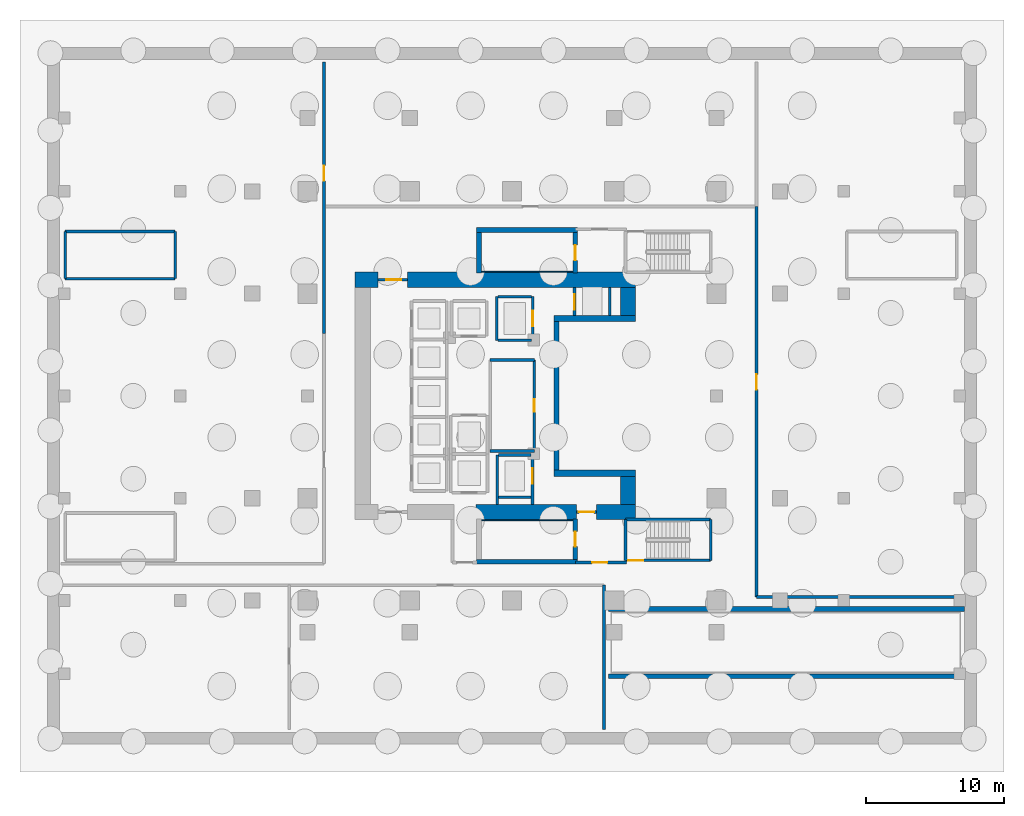
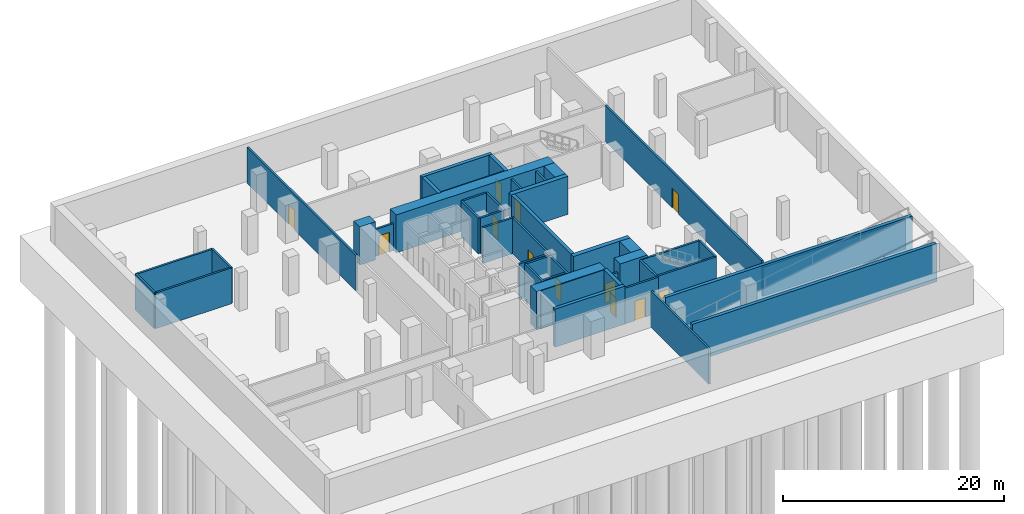
# One storey, part 3 of 6: 46 walls, 12 doors, 12 openings.
"""IFC4 building model written with IfcOpenShell, lengths in metres."""

from ifc_helpers import new_model, si_unit, direction, frame, frame_2d, origin, place, context, subcontext, project, spatial, rectangle, extrude, material, layer, layer_set, type_object, element, fill, save


model = new_model("IFC4")

# Units and contexts
model_context = context("Model", 3, precision=1e-05, world=origin(), true_north=direction((0.0, 1.0)))
body_context = subcontext(model_context, "Body", "Model", "MODEL_VIEW")
ifc_project = project(units=[si_unit("LENGTHUNIT", "METRE"), si_unit("AREAUNIT", "SQUARE_METRE"), si_unit("VOLUMEUNIT", "CUBIC_METRE"), si_unit("PLANEANGLEUNIT", "RADIAN"), si_unit("MASSUNIT", "GRAM", prefix="KILO")], contexts=[model_context])

# Site, building, storey
site_placement = place(None, origin())
site = spatial("IfcSite", under=ifc_project, at=site_placement, CompositionType="ELEMENT")
building_placement = place(site_placement, origin())
building = spatial("IfcBuilding", under=site, at=building_placement, Name="Khorvyn Point Tower", CompositionType="ELEMENT")
storey_placement = place(building_placement, frame((0.0, 0.0, -12.60009765625)))
storey = spatial("IfcBuildingStorey", under=building, at=storey_placement, Name="B3", CompositionType="ELEMENT", Elevation=-12.60009765625)

# Wall, opening, door
ifc_material_1 = material(Name="Concrete C35/45 masonry blockwork", Category="masonry")
ifc_layer_1 = layer(ifc_material_1, 0.199951171875)
ifc_layer_set_1 = layer_set([ifc_layer_1], Name="Concrete C35/45 Blockwork Plant Compartment Wall 200")
wall_type_1 = type_object("IfcWallType", Name="Concrete C35/45 Blockwork Plant Compartment Wall 200", PredefinedType="SOLIDWALL", material=ifc_layer_set_1)
wall_1_placement = place(storey_placement, frame((-13.60009765625, 4.5, 0.0), z_axis=(0.0, 0.0, 1.0), x_axis=(0.0, 1.0, 0.0)))
wall_1 = element("IfcWall", 1, at=wall_1_placement, inside=storey, type_object=wall_type_1, Name="Wall", PredefinedType="SOLIDWALL", context=body_context, shape_type="SweptSolid", body=[
    extrude(rectangle(XDim=19.64990234375, YDim=0.199951171875, at=frame_2d((9.824951171875, 0.0))), origin(), (0.0, 0.0, 1.0), 3.940185546875),
])
opening_1_placement = place(wall_1_placement, frame((11.062255859375, 0.0, 0.0)))
opening_1 = element("IfcOpeningElement", 2, at=opening_1_placement, cuts=wall_1, Name="Opening ID-FL90", PredefinedType="OPENING", context=body_context, shape_type="SweptSolid", body=[
    extrude(rectangle(XDim=1.10009765625, YDim=2.14990234375, at=frame_2d((0.550048828125, 1.074951171875))), frame((0.0, 0.10986328125, 0.0), z_axis=(0.0, -1.0, 0.0), x_axis=(1.0, 0.0, 0.0)), (0.0, 0.0, 1.0), 0.219970703125),
])
ifc_material_2 = material(Name="Galvanised powder-coated steel", Category="steel")
door_type_1 = type_object("IfcDoorType", Name="Fire-Rated Steel Lobby and Stair Door 1100x2150", OperationType="NOTDEFINED", PredefinedType="DOOR", material=ifc_material_2)
door_1_placement = place(opening_1_placement, origin())
door_1 = element("IfcDoor", 3, at=door_1_placement, inside=storey, type_object=door_type_1, Name="Door", OperationType="SINGLE_SWING_LEFT", OverallHeight=2.14990234375, OverallWidth=1.10009765625, PredefinedType="DOOR", context=body_context, shape_type="SweptSolid", body=[
    extrude(rectangle(XDim=1.10009765625, YDim=2.14990234375, at=frame_2d((0.550048828125, 1.074951171875))), frame((0.0, 0.02490234375, 0.0), z_axis=(0.0, -1.0, 0.0), x_axis=(1.0, 0.0, 0.0)), (0.0, 0.0, 1.0), 0.050048828125),
])
fill(opening_1, door_1)

wall_2_placement = place(storey_placement, frame((17.699951171875, -14.550048828125, 0.0), z_axis=(0.0, 0.0, 1.0), x_axis=(0.0, 1.0, 0.0)))
wall_2 = element("IfcWall", 4, at=wall_2_placement, inside=storey, type_object=wall_type_1, Name="Wall", PredefinedType="SOLIDWALL", context=body_context, shape_type="SweptSolid", body=[
    extrude(rectangle(XDim=28.25, YDim=0.199951171875, at=frame_2d((14.125, 0.0))), origin(), (0.0, 0.0, 1.0), 3.940185546875),
])
opening_2_placement = place(wall_2_placement, frame((15.005859375, 0.0, 0.0)))
opening_2 = element("IfcOpeningElement", 5, at=opening_2_placement, cuts=wall_2, Name="Opening ID-FL90", PredefinedType="OPENING", context=body_context, shape_type="SweptSolid", body=[
    extrude(rectangle(XDim=1.10009765625, YDim=2.14990234375, at=frame_2d((0.550048828125, 1.074951171875))), frame((0.0, 0.10986328125, 0.0), z_axis=(0.0, -1.0, 0.0), x_axis=(1.0, 0.0, 0.0)), (0.0, 0.0, 1.0), 0.219970703125),
])
door_2_placement = place(opening_2_placement, origin())
door_2 = element("IfcDoor", 6, at=door_2_placement, inside=storey, type_object=door_type_1, Name="Door", OperationType="SINGLE_SWING_LEFT", OverallHeight=2.14990234375, OverallWidth=1.10009765625, PredefinedType="DOOR", context=body_context, shape_type="SweptSolid", body=[
    extrude(rectangle(XDim=1.10009765625, YDim=2.14990234375, at=frame_2d((0.550048828125, 1.074951171875))), frame((0.0, 0.02490234375, 0.0), z_axis=(0.0, -1.0, 0.0), x_axis=(1.0, 0.0, 0.0)), (0.0, 0.0, 1.0), 0.050048828125),
])
fill(opening_2, door_2)

# Walls
wall_3_placement = place(storey_placement, frame((17.699951171875, -14.550048828125, 0.0), z_axis=(0.0, 0.0, 1.0), x_axis=(1.0, 0.0, 0.0)))
element("IfcWall", 7, at=wall_3_placement, inside=storey, type_object=wall_type_1, Name="Wall", PredefinedType="SOLIDWALL", context=body_context, shape_type="SweptSolid", body=[
    extrude(rectangle(XDim=14.949951171875, YDim=0.199951171875, at=frame_2d((7.47509765625, 0.0))), origin(), (0.0, 0.0, 1.0), 3.22998046875),
])
wall_4_placement = place(storey_placement, frame((6.64990234375, -24.14990234375, 0.0), z_axis=(0.0, 0.0, 1.0), x_axis=(0.0, 1.0, 0.0)))
element("IfcWall", 8, at=wall_4_placement, inside=storey, type_object=wall_type_1, Name="Wall", PredefinedType="SOLIDWALL", context=body_context, shape_type="SweptSolid", body=[
    extrude(rectangle(XDim=10.449951171875, YDim=0.199951171875, at=frame_2d((5.22509765625, 0.0))), origin(), (0.0, 0.0, 1.0), 3.940185546875),
])
ifc_material_3 = material(Name="Concrete C40/50", Category="concrete")
ifc_layer_2 = layer(ifc_material_3, 0.449951171875)
ifc_layer_set_2 = layer_set([ifc_layer_2], Name="Concrete C40/50 Core Shear Wall 450")
wall_type_2 = type_object("IfcWallType", Name="Concrete C40/50 Core Shear Wall 450", PredefinedType="SHEAR", material=ifc_layer_set_2)
for number, where, z_axis, x_axis, name in (
    (9, (3.044921875, -5.60009765625, 0.0), (0.0, 0.0, 1.0), (1.0, 0.0, 0.0), "Wall"),
    (10, (3.044921875, 5.60009765625, 0.0), (0.0, 0.0, 1.0), (1.0, 0.0, 0.0), "Wall"),
):
    element("IfcWall", number, at=place(storey_placement, frame(where, z_axis=z_axis, x_axis=x_axis)), inside=storey, type_object=wall_type_2, Name=name, PredefinedType="SHEAR", context=body_context, shape_type="SweptSolid", body=[
        extrude(rectangle(XDim=5.905029296875, YDim=0.449951171875, at=frame_2d((2.95263671875, 0.0))), origin(), (0.0, 0.0, 1.0), 4.2001953125),
    ])

# Wall, opening, door
ifc_layer_3 = layer(ifc_material_3, 0.199951171875)
ifc_layer_set_3 = layer_set([ifc_layer_3], Name="Concrete C40/50 Fire-Lobby Compartment Wall 200")
wall_type_3 = type_object("IfcWallType", Name="Concrete C40/50 Fire-Lobby Compartment Wall 200", PredefinedType="SOLIDWALL", material=ifc_layer_set_3)
wall_5_placement = place(storey_placement, frame((4.580078125, -12.06005859375, 0.0), z_axis=(0.0, 0.0, 1.0), x_axis=(1.0, 0.0, 0.0)))
wall_5 = element("IfcWall", 11, at=wall_5_placement, inside=storey, type_object=wall_type_3, Name="Wall", PredefinedType="SOLIDWALL", context=body_context, shape_type="SweptSolid", body=[
    extrude(rectangle(XDim=3.699951171875, YDim=0.199951171875, at=frame_2d((1.85009765625, 0.0))), origin(), (0.0, 0.0, 1.0), 3.940185546875),
])
opening_3_placement = place(wall_5_placement, frame((1.21240234375, 0.0, 0.0)))
opening_3 = element("IfcOpeningElement", 12, at=opening_3_placement, cuts=wall_5, Name="Opening ID-FL90", PredefinedType="OPENING", context=body_context, shape_type="SweptSolid", body=[
    extrude(rectangle(XDim=1.10009765625, YDim=2.14990234375, at=frame_2d((0.550048828125, 1.074951171875))), frame((0.0, 0.10986328125, 0.0), z_axis=(0.0, -1.0, 0.0), x_axis=(1.0, 0.0, 0.0)), (0.0, 0.0, 1.0), 0.219970703125),
])
door_3_placement = place(opening_3_placement, origin())
door_3 = element("IfcDoor", 13, at=door_3_placement, inside=storey, type_object=door_type_1, Name="Door", OperationType="SINGLE_SWING_LEFT", OverallHeight=2.14990234375, OverallWidth=1.10009765625, PredefinedType="DOOR", context=body_context, shape_type="SweptSolid", body=[
    extrude(rectangle(XDim=1.10009765625, YDim=2.14990234375, at=frame_2d((0.550048828125, 1.074951171875))), frame((0.0, 0.02490234375, 0.0), z_axis=(0.0, -1.0, 0.0), x_axis=(1.0, 0.0, 0.0)), (0.0, 0.0, 1.0), 0.050048828125),
])
fill(opening_3, door_3)

wall_6_placement = place(storey_placement, frame((4.64990234375, -8.39990234375, 0.0), z_axis=(0.0, 0.0, 1.0), x_axis=(1.0, 0.0, 0.0)))
wall_6 = element("IfcWall", 14, at=wall_6_placement, inside=storey, type_object=wall_type_3, Name="Wall", PredefinedType="SOLIDWALL", context=body_context, shape_type="SweptSolid", body=[
    extrude(rectangle(XDim=1.47021484375, YDim=0.199951171875, at=frame_2d((0.735107421875, 0.0))), origin(), (0.0, 0.0, 1.0), 2.97998046875),
])
opening_4_placement = place(wall_6_placement, frame((0.18505859375, 0.0, 0.0)))
opening_4 = element("IfcOpeningElement", 15, at=opening_4_placement, cuts=wall_6, Name="Opening ID-FL90", PredefinedType="OPENING", context=body_context, shape_type="SweptSolid", body=[
    extrude(rectangle(XDim=1.10009765625, YDim=2.14990234375, at=frame_2d((0.550048828125, 1.074951171875))), frame((0.0, 0.10986328125, 0.0), z_axis=(0.0, -1.0, 0.0), x_axis=(1.0, 0.0, 0.0)), (0.0, 0.0, 1.0), 0.219970703125),
])
door_4_placement = place(opening_4_placement, origin())
door_4 = element("IfcDoor", 16, at=door_4_placement, inside=storey, type_object=door_type_1, Name="Door", OperationType="SINGLE_SWING_RIGHT", OverallHeight=2.14990234375, OverallWidth=1.10009765625, PredefinedType="DOOR", context=body_context, shape_type="SweptSolid", body=[
    extrude(rectangle(XDim=1.10009765625, YDim=2.14990234375, at=frame_2d((0.550048828125, 1.074951171875))), frame((0.0, 0.02490234375, 0.0), z_axis=(0.0, -1.0, 0.0), x_axis=(1.0, 0.0, 0.0)), (0.0, 0.0, 1.0), 0.050048828125),
])
fill(opening_4, door_4)

wall_7_placement = place(storey_placement, frame((-9.699951171875, 8.39990234375, 0.0), z_axis=(0.0, 0.0, 1.0), x_axis=(1.0, 0.0, 0.0)))
wall_7 = element("IfcWall", 17, at=wall_7_placement, inside=storey, type_object=wall_type_3, Name="Wall", PredefinedType="SOLIDWALL", context=body_context, shape_type="SweptSolid", body=[
    extrude(rectangle(XDim=2.14990234375, YDim=0.199951171875, at=frame_2d((1.074951171875, 0.0))), origin(), (0.0, 0.0, 1.0), 2.97998046875),
])
opening_5_placement = place(wall_7_placement, frame((0.597900390625, 0.0, 0.0)))
opening_5 = element("IfcOpeningElement", 18, at=opening_5_placement, cuts=wall_7, Name="Opening ID-FL90", PredefinedType="OPENING", context=body_context, shape_type="SweptSolid", body=[
    extrude(rectangle(XDim=1.10009765625, YDim=2.14990234375, at=frame_2d((0.550048828125, 1.074951171875))), frame((0.0, 0.10986328125, 0.0), z_axis=(0.0, -1.0, 0.0), x_axis=(1.0, 0.0, 0.0)), (0.0, 0.0, 1.0), 0.219970703125),
])
door_5_placement = place(opening_5_placement, origin())
door_5 = element("IfcDoor", 19, at=door_5_placement, inside=storey, type_object=door_type_1, Name="Door", OperationType="SINGLE_SWING_LEFT", OverallHeight=2.14990234375, OverallWidth=1.10009765625, PredefinedType="DOOR", context=body_context, shape_type="SweptSolid", body=[
    extrude(rectangle(XDim=1.10009765625, YDim=2.14990234375, at=frame_2d((0.550048828125, 1.074951171875))), frame((0.0, 0.02490234375, 0.0), z_axis=(0.0, -1.0, 0.0), x_axis=(1.0, 0.0, 0.0)), (0.0, 0.0, 1.0), 0.050048828125),
])
fill(opening_5, door_5)

wall_8_placement = place(storey_placement, frame((1.610107421875, -3.97998046875, 0.0), z_axis=(0.0, 0.0, 1.0), x_axis=(0.0, 1.0, 0.0)))
wall_8 = element("IfcWall", 20, at=wall_8_placement, inside=storey, type_object=wall_type_3, Name="Wall", PredefinedType="SOLIDWALL", context=body_context, shape_type="SweptSolid", body=[
    extrude(rectangle(XDim=6.580078125, YDim=0.199951171875, at=frame_2d((3.2900390625, 0.0))), origin(), (0.0, 0.0, 1.0), 3.940185546875),
])
opening_6_placement = place(wall_8_placement, frame((2.830078125, 0.0, 0.0)))
opening_6 = element("IfcOpeningElement", 21, at=opening_6_placement, cuts=wall_8, Name="Opening ID-RS60", PredefinedType="OPENING", context=body_context, shape_type="SweptSolid", body=[
    extrude(rectangle(XDim=0.919921875, YDim=2.10009765625, at=frame_2d((0.4599609375, 1.050048828125))), frame((0.0, 0.10986328125, 0.0), z_axis=(0.0, -1.0, 0.0), x_axis=(1.0, 0.0, 0.0)), (0.0, 0.0, 1.0), 0.219970703125),
])
door_type_2 = type_object("IfcDoorType", Name="Fire-Rated Riser and Store Steel Door 920x2100", OperationType="NOTDEFINED", PredefinedType="DOOR", material=ifc_material_2)
door_6_placement = place(opening_6_placement, origin())
door_6 = element("IfcDoor", 22, at=door_6_placement, inside=storey, type_object=door_type_2, Name="Door", OperationType="SINGLE_SWING_LEFT", OverallHeight=2.10009765625, OverallWidth=0.919921875, PredefinedType="DOOR", context=body_context, shape_type="SweptSolid", body=[
    extrude(rectangle(XDim=0.919921875, YDim=2.10009765625, at=frame_2d((0.4599609375, 1.050048828125))), frame((0.0, 0.02490234375, 0.0), z_axis=(0.0, -1.0, 0.0), x_axis=(1.0, 0.0, 0.0)), (0.0, 0.0, 1.0), 0.050048828125),
])
fill(opening_6, door_6)

# Walls
for number, where, z_axis, x_axis, name in (
    (23, (-1.580078125, -3.97998046875, 0.0), (0.0, 0.0, 1.0), (1.0, 0.0, 0.0), "Wall"),
    (24, (-1.580078125, 2.60009765625, 0.0), (0.0, 0.0, 1.0), (1.0, 0.0, 0.0), "Wall"),
):
    element("IfcWall", number, at=place(storey_placement, frame(where, z_axis=z_axis, x_axis=x_axis)), inside=storey, type_object=wall_type_3, Name=name, PredefinedType="SOLIDWALL", context=body_context, shape_type="SweptSolid", body=[
        extrude(rectangle(XDim=3.190185546875, YDim=0.199951171875, at=frame_2d((1.59521484375, 0.0))), origin(), (0.0, 0.0, 1.0), 3.940185546875),
    ])
ifc_layer_4 = layer(ifc_material_3, 0.25)
ifc_layer_set_4 = layer_set([ifc_layer_4], Name="Concrete C40/50 Stair Inner Cheek Structural Wall 250")
wall_type_4 = type_object("IfcWallType", Name="Concrete C40/50 Stair Inner Cheek Structural Wall 250", PredefinedType="SHEAR", material=ifc_layer_set_4)
for number, where, z_axis, x_axis, name in (
    (25, (-2.199951171875, -8.987548828125, 0.0), (0.0, 0.0, 1.0), (1.0, 0.0, 0.0), "Wall"),
    (26, (-2.199951171875, 8.987548828125, 0.0), (0.0, 0.0, 1.0), (1.0, 0.0, 0.0), "Wall"),
):
    element("IfcWall", number, at=place(storey_placement, frame(where, z_axis=z_axis, x_axis=x_axis)), inside=storey, type_object=wall_type_4, Name=name, PredefinedType="SHEAR", context=body_context, shape_type="SweptSolid", body=[
        extrude(rectangle(XDim=6.599853515625, YDim=0.074951171875, at=frame_2d((3.2998046875, 0.0))), origin(), (0.0, 0.0, 1.0), 4.2001953125),
    ])
ifc_layer_5 = layer(ifc_material_3, 0.35009765625)
ifc_layer_set_5 = layer_set([ifc_layer_5], Name="Concrete C40/50 Stair Shaft Structural Wall 350")
wall_type_5 = type_object("IfcWallType", Name="Concrete C40/50 Stair Shaft Structural Wall 350", PredefinedType="SHEAR", material=ifc_layer_set_5)
wall_9_placement = place(storey_placement, frame((7.0, -20.280029296875, 0.0), z_axis=(0.0, 0.0, 1.0), x_axis=(1.0, 0.0, 0.0)))
element("IfcWall", 27, at=wall_9_placement, inside=storey, type_object=wall_type_5, Name="B3 Vehicle Ramp South Structural Cheek Wall", PredefinedType="SHEAR", context=body_context, shape_type="SweptSolid", body=[
    extrude(rectangle(XDim=25.5, YDim=0.35009765625, at=frame_2d((12.75, 0.0))), origin(), (0.0, 0.0, 1.0), 4.2001953125),
])
wall_10_placement = place(storey_placement, frame((7.0, -15.419921875, 0.0), z_axis=(0.0, 0.0, 1.0), x_axis=(1.0, 0.0, 0.0)))
element("IfcWall", 28, at=wall_10_placement, inside=storey, type_object=wall_type_5, Name="B3 Vehicle Ramp North Structural Cheek Wall", PredefinedType="SHEAR", context=body_context, shape_type="SweptSolid", body=[
    extrude(rectangle(XDim=25.75, YDim=0.35009765625, at=frame_2d((12.875, 0.0))), origin(), (0.0, 0.0, 1.0), 4.2001953125),
])
wall_11_placement = place(storey_placement, frame((3.219970703125, -5.375, 0.0), z_axis=(0.0, 0.0, 1.0), x_axis=(0.0, 1.0, 0.0)))
element("IfcWall", 29, at=wall_11_placement, inside=storey, type_object=wall_type_5, Name="Wall", PredefinedType="SHEAR", context=body_context, shape_type="SweptSolid", body=[
    extrude(rectangle(XDim=10.75, YDim=0.35009765625, at=frame_2d((5.375, 0.0))), origin(), (0.0, 0.0, 1.0), 4.2001953125),
])
wall_12_placement = place(storey_placement, frame((-2.554931640625, -12.0, 0.0), z_axis=(0.0, 0.0, 1.0), x_axis=(1.0, 0.0, 0.0)))
element("IfcWall", 30, at=wall_12_placement, inside=storey, type_object=wall_type_5, Name="B3 ST-01 South Shaft Wall", PredefinedType="SHEAR", context=body_context, shape_type="SweptSolid", body=[
    extrude(rectangle(XDim=7.309814453125, YDim=0.35009765625, at=frame_2d((3.65478515625, 0.0))), origin(), (0.0, 0.0, 1.0), 4.2001953125),
])

# Wall, opening, door
wall_13_placement = place(storey_placement, frame((4.580078125, -8.89990234375, 0.0), z_axis=(0.0, 0.0, 1.0), x_axis=(0.0, -1.0, 0.0)))
wall_13 = element("IfcWall", 31, at=wall_13_placement, inside=storey, type_object=wall_type_5, Name="B3 ST-01 East Landing Door Wall", PredefinedType="SHEAR", context=body_context, shape_type="SweptSolid", body=[
    extrude(rectangle(XDim=2.925048828125, YDim=0.35009765625, at=frame_2d((1.46240234375, 0.0))), origin(), (0.0, 0.0, 1.0), 4.2001953125),
])
opening_7_placement = place(wall_13_placement, frame((0.91259765625, 0.0, 0.0)))
opening_7 = element("IfcOpeningElement", 32, at=opening_7_placement, cuts=wall_13, Name="Opening ID-FL90", PredefinedType="OPENING", context=body_context, shape_type="SweptSolid", body=[
    extrude(rectangle(XDim=1.10009765625, YDim=2.14990234375, at=frame_2d((0.550048828125, 1.074951171875))), frame((0.0, 0.18505859375, 0.0), z_axis=(0.0, -1.0, 0.0), x_axis=(1.0, 0.0, 0.0)), (0.0, 0.0, 1.0), 0.3701171875),
])
door_7_placement = place(opening_7_placement, origin())
door_7 = element("IfcDoor", 33, at=door_7_placement, inside=storey, type_object=door_type_1, Name="B3 ST-01 Smokeproof Landing Door", OperationType="SINGLE_SWING_RIGHT", OverallHeight=2.14990234375, OverallWidth=1.10009765625, PredefinedType="DOOR", context=body_context, shape_type="SweptSolid", body=[
    extrude(rectangle(XDim=1.10009765625, YDim=2.14990234375, at=frame_2d((0.550048828125, 1.074951171875))), frame((0.0, 0.02490234375, 0.0), z_axis=(0.0, -1.0, 0.0), x_axis=(1.0, 0.0, 0.0)), (0.0, 0.0, 1.0), 0.050048828125),
])
fill(opening_7, door_7)

# Walls
wall_14_placement = place(storey_placement, frame((-2.554931640625, 12.0, 0.0), z_axis=(0.0, 0.0, 1.0), x_axis=(1.0, 0.0, 0.0)))
element("IfcWall", 34, at=wall_14_placement, inside=storey, type_object=wall_type_5, Name="B3 ST-02 North Shaft Wall", PredefinedType="SHEAR", context=body_context, shape_type="SweptSolid", body=[
    extrude(rectangle(XDim=7.309814453125, YDim=0.35009765625, at=frame_2d((3.65478515625, 0.0))), origin(), (0.0, 0.0, 1.0), 4.2001953125),
])
wall_15_placement = place(storey_placement, frame((-2.3798828125, 8.89990234375, 0.0), z_axis=(0.0, 0.0, 1.0), x_axis=(0.0, 1.0, 0.0)))
element("IfcWall", 35, at=wall_15_placement, inside=storey, type_object=wall_type_5, Name="B3 ST-02 West Shaft Wall", PredefinedType="SHEAR", context=body_context, shape_type="SweptSolid", body=[
    extrude(rectangle(XDim=2.925048828125, YDim=0.35009765625, at=frame_2d((1.46240234375, 0.0))), origin(), (0.0, 0.0, 1.0), 4.2001953125),
])

# Wall, opening, door
wall_16_placement = place(storey_placement, frame((4.580078125, 11.824951171875, 0.0), z_axis=(0.0, 0.0, 1.0), x_axis=(0.0, -1.0, 0.0)))
wall_16 = element("IfcWall", 36, at=wall_16_placement, inside=storey, type_object=wall_type_5, Name="B3 ST-02 East Landing Door Wall", PredefinedType="SHEAR", context=body_context, shape_type="SweptSolid", body=[
    extrude(rectangle(XDim=2.925048828125, YDim=0.35009765625, at=frame_2d((1.46240234375, 0.0))), origin(), (0.0, 0.0, 1.0), 4.2001953125),
])
opening_8_placement = place(wall_16_placement, frame((0.91259765625, 0.0, 0.0)))
opening_8 = element("IfcOpeningElement", 37, at=opening_8_placement, cuts=wall_16, Name="Opening ID-FL90", PredefinedType="OPENING", context=body_context, shape_type="SweptSolid", body=[
    extrude(rectangle(XDim=1.10009765625, YDim=2.14990234375, at=frame_2d((0.550048828125, 1.074951171875))), frame((0.0, 0.18505859375, 0.0), z_axis=(0.0, -1.0, 0.0), x_axis=(1.0, 0.0, 0.0)), (0.0, 0.0, 1.0), 0.3701171875),
])
door_8_placement = place(opening_8_placement, origin())
door_8 = element("IfcDoor", 38, at=door_8_placement, inside=storey, type_object=door_type_1, Name="B3 ST-02 Smokeproof Landing Door", OperationType="SINGLE_SWING_LEFT", OverallHeight=2.14990234375, OverallWidth=1.10009765625, PredefinedType="DOOR", context=body_context, shape_type="SweptSolid", body=[
    extrude(rectangle(XDim=1.10009765625, YDim=2.14990234375, at=frame_2d((0.550048828125, 1.074951171875))), frame((0.0, 0.02490234375, 0.0), z_axis=(0.0, -1.0, 0.0), x_axis=(1.0, 0.0, 0.0)), (0.0, 0.0, 1.0), 0.050048828125),
])
fill(opening_8, door_8)

# Wall
ifc_layer_6 = layer(ifc_material_3, 0.199951171875)
ifc_layer_set_6 = layer_set([ifc_layer_6], Name="Concrete C40/50 Structural Hoistway and Stair Shaft Wall 200")
wall_type_6 = type_object("IfcWallType", Name="Concrete C40/50 Structural Hoistway and Stair Shaft Wall 200", PredefinedType="SHEAR", material=ifc_layer_set_6)
wall_17_placement = place(storey_placement, frame((-1.10009765625, 4.02490234375, 0.0), z_axis=(0.0, 0.0, 1.0), x_axis=(0.0, 1.0, 0.0)))
element("IfcWall", 39, at=wall_17_placement, inside=storey, type_object=wall_type_6, Name="Wall", PredefinedType="SHEAR", context=body_context, shape_type="SweptSolid", body=[
    extrude(rectangle(XDim=3.150146484375, YDim=0.199951171875, at=frame_2d((1.5751953125, 0.0))), origin(), (0.0, 0.0, 1.0), 3.940185546875),
])

# Wall, opening, door
wall_18_placement = place(storey_placement, frame((1.5, 4.02490234375, 0.0), z_axis=(0.0, 0.0, 1.0), x_axis=(0.0, 1.0, 0.0)))
wall_18 = element("IfcWall", 40, at=wall_18_placement, inside=storey, type_object=wall_type_6, Name="Wall", PredefinedType="SHEAR", context=body_context, shape_type="SweptSolid", body=[
    extrude(rectangle(XDim=3.150146484375, YDim=0.199951171875, at=frame_2d((1.5751953125, 0.0))), origin(), (0.0, 0.0, 1.0), 3.940185546875),
])
opening_9_placement = place(wall_18_placement, frame((1.02490234375, 0.0, 0.0)))
opening_9 = element("IfcOpeningElement", 41, at=opening_9_placement, cuts=wall_18, Name="Opening LD-1122", PredefinedType="OPENING", context=body_context, shape_type="SweptSolid", body=[
    extrude(rectangle(XDim=1.10009765625, YDim=2.199951171875, at=frame_2d((0.550048828125, 1.10009765625))), frame((0.0, 0.10986328125, 0.0), z_axis=(0.0, -1.0, 0.0), x_axis=(1.0, 0.0, 0.0)), (0.0, 0.0, 1.0), 0.219970703125),
])
ifc_material_4 = material(Name="Stainless steel 1.4301", Category="steel")
door_type_3 = type_object("IfcDoorType", Name="Stainless Steel Automatic Sliding Lift Landing Door 1100x2200", OperationType="SLIDING_TO_LEFT", PredefinedType="DOOR", material=ifc_material_4)
door_9_placement = place(opening_9_placement, origin())
door_9 = element("IfcDoor", 42, at=door_9_placement, inside=storey, type_object=door_type_3, Name="B3 SV-01 Sliding Lift Landing Door", OperationType="SLIDING_TO_LEFT", OverallHeight=2.199951171875, OverallWidth=1.10009765625, PredefinedType="DOOR", context=body_context, shape_type="SweptSolid", body=[
    extrude(rectangle(XDim=1.10009765625, YDim=2.199951171875, at=frame_2d((0.550048828125, 1.10009765625))), frame((0.0, 0.02490234375, 0.0), z_axis=(0.0, -1.0, 0.0), x_axis=(1.0, 0.0, 0.0)), (0.0, 0.0, 1.0), 0.050048828125),
])
fill(opening_9, door_9)

# Walls
for number, where, z_axis, x_axis, name in (
    (43, (-1.0, 4.02490234375, 0.0), (0.0, 0.0, 1.0), (1.0, 0.0, 0.0), "Wall"),
    (44, (-1.0, 7.175048828125, 0.0), (0.0, 0.0, 1.0), (1.0, 0.0, 0.0), "Wall"),
):
    element("IfcWall", number, at=place(storey_placement, frame(where, z_axis=z_axis, x_axis=x_axis)), inside=storey, type_object=wall_type_6, Name=name, PredefinedType="SHEAR", context=body_context, shape_type="SweptSolid", body=[
        extrude(rectangle(XDim=2.39990234375, YDim=0.199951171875, at=frame_2d((1.199951171875, 0.0))), origin(), (0.0, 0.0, 1.0), 3.940185546875),
    ])
wall_19_placement = place(storey_placement, frame((-1.074951171875, -7.85009765625, 0.0), z_axis=(0.0, 0.0, 1.0), x_axis=(0.0, 1.0, 0.0)))
element("IfcWall", 45, at=wall_19_placement, inside=storey, type_object=wall_type_6, Name="Wall", PredefinedType="SHEAR", context=body_context, shape_type="SweptSolid", body=[
    extrude(rectangle(XDim=3.5751953125, YDim=0.199951171875, at=frame_2d((1.78759765625, 0.0))), origin(), (0.0, 0.0, 1.0), 3.940185546875),
])

# Wall, opening, door
wall_20_placement = place(storey_placement, frame((1.47509765625, -7.85009765625, 0.0), z_axis=(0.0, 0.0, 1.0), x_axis=(0.0, 1.0, 0.0)))
wall_20 = element("IfcWall", 46, at=wall_20_placement, inside=storey, type_object=wall_type_6, Name="Wall", PredefinedType="SHEAR", context=body_context, shape_type="SweptSolid", body=[
    extrude(rectangle(XDim=3.5751953125, YDim=0.199951171875, at=frame_2d((1.78759765625, 0.0))), origin(), (0.0, 0.0, 1.0), 3.940185546875),
])
opening_10_placement = place(wall_20_placement, frame((1.5, 0.0, 0.0)))
opening_10 = element("IfcOpeningElement", 47, at=opening_10_placement, cuts=wall_20, Name="Opening LD-1122", PredefinedType="OPENING", context=body_context, shape_type="SweptSolid", body=[
    extrude(rectangle(XDim=1.10009765625, YDim=2.199951171875, at=frame_2d((0.550048828125, 1.10009765625))), frame((0.0, 0.10986328125, 0.0), z_axis=(0.0, -1.0, 0.0), x_axis=(1.0, 0.0, 0.0)), (0.0, 0.0, 1.0), 0.219970703125),
])
door_10_placement = place(opening_10_placement, origin())
door_10 = element("IfcDoor", 48, at=door_10_placement, inside=storey, type_object=door_type_3, Name="B3 FF-01 Sliding Lift Landing Door", OperationType="SLIDING_TO_LEFT", OverallHeight=2.199951171875, OverallWidth=1.10009765625, PredefinedType="DOOR", context=body_context, shape_type="SweptSolid", body=[
    extrude(rectangle(XDim=1.10009765625, YDim=2.199951171875, at=frame_2d((0.550048828125, 1.10009765625))), frame((0.0, 0.02490234375, 0.0), z_axis=(0.0, -1.0, 0.0), x_axis=(1.0, 0.0, 0.0)), (0.0, 0.0, 1.0), 0.050048828125),
])
fill(opening_10, door_10)

# Walls
for number, where, z_axis, x_axis, name in (
    (49, (-0.97509765625, -7.324951171875, 0.0), (0.0, 0.0, 1.0), (1.0, 0.0, 0.0), "Wall"),
    (50, (-0.97509765625, -4.27490234375, 0.0), (0.0, 0.0, 1.0), (1.0, 0.0, 0.0), "Wall"),
):
    element("IfcWall", number, at=place(storey_placement, frame(where, z_axis=z_axis, x_axis=x_axis)), inside=storey, type_object=wall_type_6, Name=name, PredefinedType="SHEAR", context=body_context, shape_type="SweptSolid", body=[
        extrude(rectangle(XDim=2.35009765625, YDim=0.199951171875, at=frame_2d((1.175048828125, 0.0))), origin(), (0.0, 0.0, 1.0), 3.940185546875),
    ])

# Wall, opening, door
wall_21_placement = place(storey_placement, frame((4.52490234375, 5.824951171875, 0.0), z_axis=(0.0, 0.0, 1.0), x_axis=(0.0, 1.0, 0.0)))
wall_21 = element("IfcWall", 51, at=wall_21_placement, inside=storey, type_object=wall_type_6, Name="Wall", PredefinedType="SHEAR", context=body_context, shape_type="SweptSolid", body=[
    extrude(rectangle(XDim=2.025146484375, YDim=0.199951171875, at=frame_2d((1.0126953125, 0.0))), origin(), (0.0, 0.0, 1.0), 3.940185546875),
])
opening_11_placement = place(wall_21_placement, frame((0.425048828125, 0.0, 0.0)))
opening_11 = element("IfcOpeningElement", 52, at=opening_11_placement, cuts=wall_21, Name="Opening LD-1122", PredefinedType="OPENING", context=body_context, shape_type="SweptSolid", body=[
    extrude(rectangle(XDim=1.10009765625, YDim=2.199951171875, at=frame_2d((0.550048828125, 1.10009765625))), frame((0.0, 0.10986328125, 0.0), z_axis=(0.0, -1.0, 0.0), x_axis=(1.0, 0.0, 0.0)), (0.0, 0.0, 1.0), 0.219970703125),
])
door_11_placement = place(opening_11_placement, origin())
door_11 = element("IfcDoor", 53, at=door_11_placement, inside=storey, type_object=door_type_3, Name="B3 FF-02 Sliding Lift Landing Door", OperationType="SLIDING_TO_LEFT", OverallHeight=2.199951171875, OverallWidth=1.10009765625, PredefinedType="DOOR", context=body_context, shape_type="SweptSolid", body=[
    extrude(rectangle(XDim=1.10009765625, YDim=2.199951171875, at=frame_2d((0.550048828125, 1.10009765625))), frame((0.0, 0.02490234375, 0.0), z_axis=(0.0, -1.0, 0.0), x_axis=(1.0, 0.0, 0.0)), (0.0, 0.0, 1.0), 0.050048828125),
])
fill(opening_11, door_11)

# Walls
wall_22_placement = place(storey_placement, frame((7.074951171875, 5.824951171875, 0.0), z_axis=(0.0, 0.0, 1.0), x_axis=(0.0, 1.0, 0.0)))
element("IfcWall", 54, at=wall_22_placement, inside=storey, type_object=wall_type_6, Name="Wall", PredefinedType="SHEAR", context=body_context, shape_type="SweptSolid", body=[
    extrude(rectangle(XDim=2.025146484375, YDim=0.199951171875, at=frame_2d((1.0126953125, 0.0))), origin(), (0.0, 0.0, 1.0), 3.940185546875),
])
for number, where, z_axis, x_axis, name in (
    (55, (8.219970703125, -11.89990234375, 0.0), (0.0, 0.0, 1.0), (0.0, 1.0, 0.0), "Wall"),
    (56, (14.3798828125, -8.93994140625, 0.0), (0.0, 0.0, 1.0), (0.0, -1.0, 0.0), "Wall"),
):
    element("IfcWall", number, at=place(storey_placement, frame(where, z_axis=z_axis, x_axis=x_axis)), inside=storey, type_object=wall_type_6, Name=name, PredefinedType="SHEAR", context=body_context, shape_type="SweptSolid", body=[
        extrude(rectangle(XDim=2.9599609375, YDim=0.199951171875, at=frame_2d((1.47998046875, 0.0))), origin(), (0.0, 0.0, 1.0), 3.940185546875),
    ])

# Wall, opening, door
wall_23_placement = place(storey_placement, frame((14.3798828125, -11.89990234375, 0.0), z_axis=(0.0, 0.0, 1.0), x_axis=(-1.0, 0.0, 0.0)))
wall_23 = element("IfcWall", 57, at=wall_23_placement, inside=storey, type_object=wall_type_6, Name="Wall", PredefinedType="SHEAR", context=body_context, shape_type="SweptSolid", body=[
    extrude(rectangle(XDim=6.159912109375, YDim=0.199951171875, at=frame_2d((3.080078125, 0.0))), origin(), (0.0, 0.0, 1.0), 3.940185546875),
])
opening_12_placement = place(wall_23_placement, frame((4.8798828125, 0.0, 0.0)))
opening_12 = element("IfcOpeningElement", 58, at=opening_12_placement, cuts=wall_23, Name="Opening ID-FL90", PredefinedType="OPENING", context=body_context, shape_type="SweptSolid", body=[
    extrude(rectangle(XDim=1.10009765625, YDim=2.14990234375, at=frame_2d((0.550048828125, 1.074951171875))), frame((0.0, 0.10986328125, 0.0), z_axis=(0.0, -1.0, 0.0), x_axis=(1.0, 0.0, 0.0)), (0.0, 0.0, 1.0), 0.219970703125),
])
door_12_placement = place(opening_12_placement, origin())
door_12 = element("IfcDoor", 59, at=door_12_placement, inside=storey, type_object=door_type_1, Name="B3 ST-B1 Smokeproof Landing Door", OperationType="SINGLE_SWING_LEFT", OverallHeight=2.14990234375, OverallWidth=1.10009765625, PredefinedType="DOOR", context=body_context, shape_type="SweptSolid", body=[
    extrude(rectangle(XDim=1.10009765625, YDim=2.14990234375, at=frame_2d((0.550048828125, 1.074951171875))), frame((0.0, 0.02490234375, 0.0), z_axis=(0.0, -1.0, 0.0), x_axis=(1.0, 0.0, 0.0)), (0.0, 0.0, 1.0), 0.050048828125),
])
fill(opening_12, door_12)

# Walls
wall_24_placement = place(storey_placement, frame((8.219970703125, -8.93994140625, 0.0), z_axis=(0.0, 0.0, 1.0), x_axis=(1.0, 0.0, 0.0)))
element("IfcWall", 60, at=wall_24_placement, inside=storey, type_object=wall_type_6, Name="Wall", PredefinedType="SHEAR", context=body_context, shape_type="SweptSolid", body=[
    extrude(rectangle(XDim=6.159912109375, YDim=0.199951171875, at=frame_2d((3.080078125, 0.0))), origin(), (0.0, 0.0, 1.0), 3.940185546875),
])
for number, where, z_axis, x_axis, name in (
    (61, (-32.330078125, 8.47998046875, 0.0), (0.0, 0.0, 1.0), (0.0, 1.0, 0.0), "Wall"),
    (62, (-24.3701171875, 11.89990234375, 0.0), (0.0, 0.0, 1.0), (0.0, -1.0, 0.0), "Wall"),
):
    element("IfcWall", number, at=place(storey_placement, frame(where, z_axis=z_axis, x_axis=x_axis)), inside=storey, type_object=wall_type_6, Name=name, PredefinedType="SHEAR", context=body_context, shape_type="SweptSolid", body=[
        extrude(rectangle(XDim=3.419921875, YDim=0.199951171875, at=frame_2d((1.7099609375, 0.0))), origin(), (0.0, 0.0, 1.0), 3.940185546875),
    ])
for number, where, z_axis, x_axis, name in (
    (63, (-24.3701171875, 8.47998046875, 0.0), (0.0, 0.0, 1.0), (-1.0, 0.0, 0.0), "Wall"),
    (64, (-32.330078125, 11.89990234375, 0.0), (0.0, 0.0, 1.0), (1.0, 0.0, 0.0), "Wall"),
):
    element("IfcWall", number, at=place(storey_placement, frame(where, z_axis=z_axis, x_axis=x_axis)), inside=storey, type_object=wall_type_6, Name=name, PredefinedType="SHEAR", context=body_context, shape_type="SweptSolid", body=[
        extrude(rectangle(XDim=7.9599609375, YDim=0.199951171875, at=frame_2d((3.97998046875, 0.0))), origin(), (0.0, 0.0, 1.0), 3.940185546875),
    ])
ifc_material_5 = material(Name="Concrete C50/60", Category="concrete")
ifc_layer_7 = layer(ifc_material_5, 1.10009765625)
ifc_layer_set_7 = layer_set([ifc_layer_7], Name="Concrete C50/60 Core Shear Wall 1100")
wall_type_7 = type_object("IfcWallType", Name="Concrete C50/60 Core Shear Wall 1100", PredefinedType="SHEAR", material=ifc_layer_set_7)
wall_25_placement = place(storey_placement, frame((-2.6201171875, -8.39990234375, 0.0), z_axis=(0.0, 0.0, 1.0), x_axis=(1.0, 0.0, 0.0)))
element("IfcWall", 65, at=wall_25_placement, inside=storey, type_object=wall_type_7, Name="Wall", PredefinedType="SHEAR", context=body_context, shape_type="SweptSolid", body=[
    extrude(rectangle(XDim=7.27001953125, YDim=1.10009765625, at=frame_2d((3.635009765625, 0.0))), origin(), (0.0, 0.0, 1.0), 4.2001953125),
])
wall_26_placement = place(storey_placement, frame((6.1201171875, -8.39990234375, 0.0), z_axis=(0.0, 0.0, 1.0), x_axis=(1.0, 0.0, 0.0)))
element("IfcWall", 66, at=wall_26_placement, inside=storey, type_object=wall_type_7, Name="Wall", PredefinedType="SHEAR", context=body_context, shape_type="SweptSolid", body=[
    extrude(rectangle(XDim=2.829833984375, YDim=1.10009765625, at=frame_2d((1.4150390625, 0.0))), origin(), (0.0, 0.0, 1.0), 4.2001953125),
])
wall_27_placement = place(storey_placement, frame((-11.35009765625, 8.39990234375, 0.0), z_axis=(0.0, 0.0, 1.0), x_axis=(1.0, 0.0, 0.0)))
element("IfcWall", 67, at=wall_27_placement, inside=storey, type_object=wall_type_7, Name="Wall", PredefinedType="SHEAR", context=body_context, shape_type="SweptSolid", body=[
    extrude(rectangle(XDim=1.650146484375, YDim=1.10009765625, at=frame_2d((0.8251953125, 0.0))), origin(), (0.0, 0.0, 1.0), 4.2001953125),
])
wall_28_placement = place(storey_placement, frame((-7.550048828125, 8.39990234375, 0.0), z_axis=(0.0, 0.0, 1.0), x_axis=(1.0, 0.0, 0.0)))
element("IfcWall", 68, at=wall_28_placement, inside=storey, type_object=wall_type_7, Name="Wall", PredefinedType="SHEAR", context=body_context, shape_type="SweptSolid", body=[
    extrude(rectangle(XDim=16.5, YDim=1.10009765625, at=frame_2d((8.25, 0.0))), origin(), (0.0, 0.0, 1.0), 4.2001953125),
])
for number, where, z_axis, x_axis, name in (
    (69, (8.39990234375, -7.85009765625, 0.0), (0.0, 0.0, 1.0), (0.0, 1.0, 0.0), "Wall"),
    (70, (8.39990234375, 5.824951171875, 0.0), (0.0, 0.0, 1.0), (0.0, 1.0, 0.0), "Wall"),
):
    element("IfcWall", number, at=place(storey_placement, frame(where, z_axis=z_axis, x_axis=x_axis)), inside=storey, type_object=wall_type_7, Name=name, PredefinedType="SHEAR", context=body_context, shape_type="SweptSolid", body=[
        extrude(rectangle(XDim=2.025146484375, YDim=1.10009765625, at=frame_2d((1.0126953125, 0.0))), origin(), (0.0, 0.0, 1.0), 4.2001953125),
    ])

save(model, "model.ifc")
